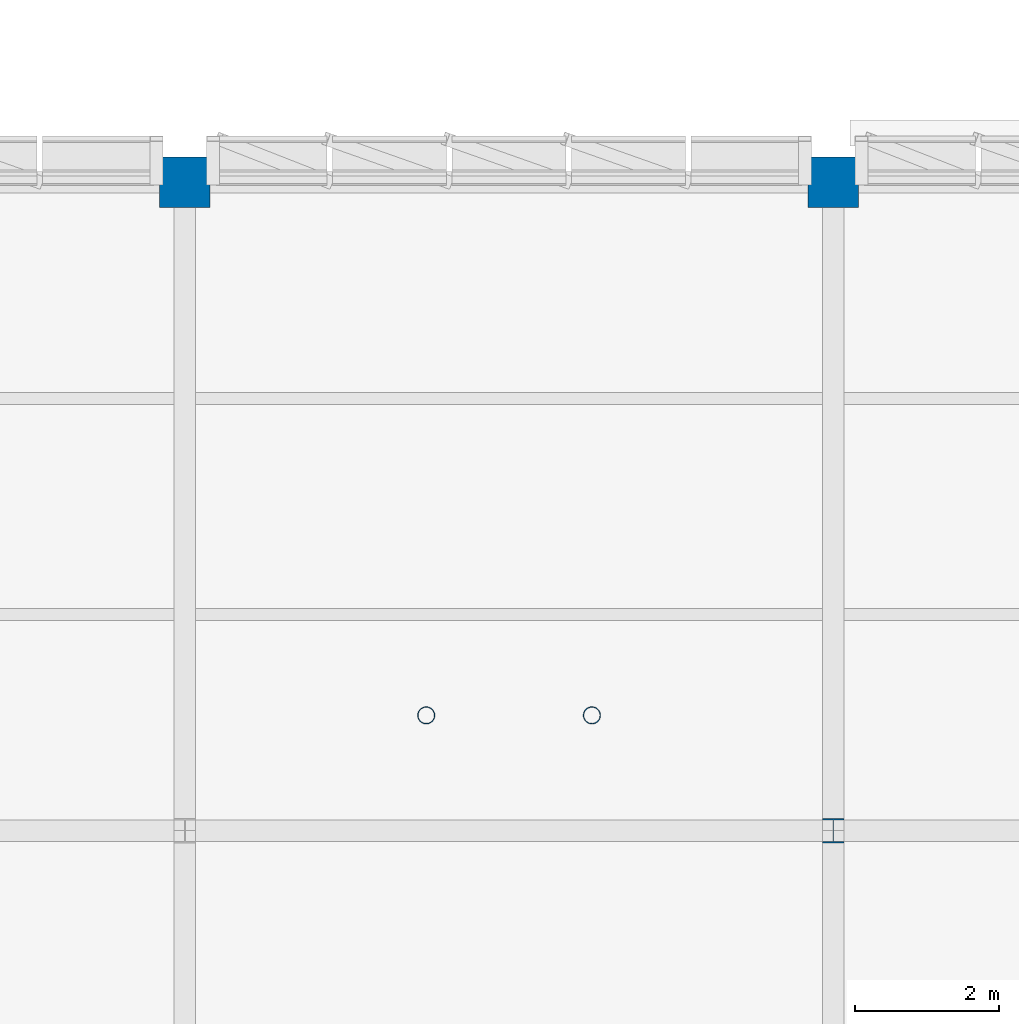
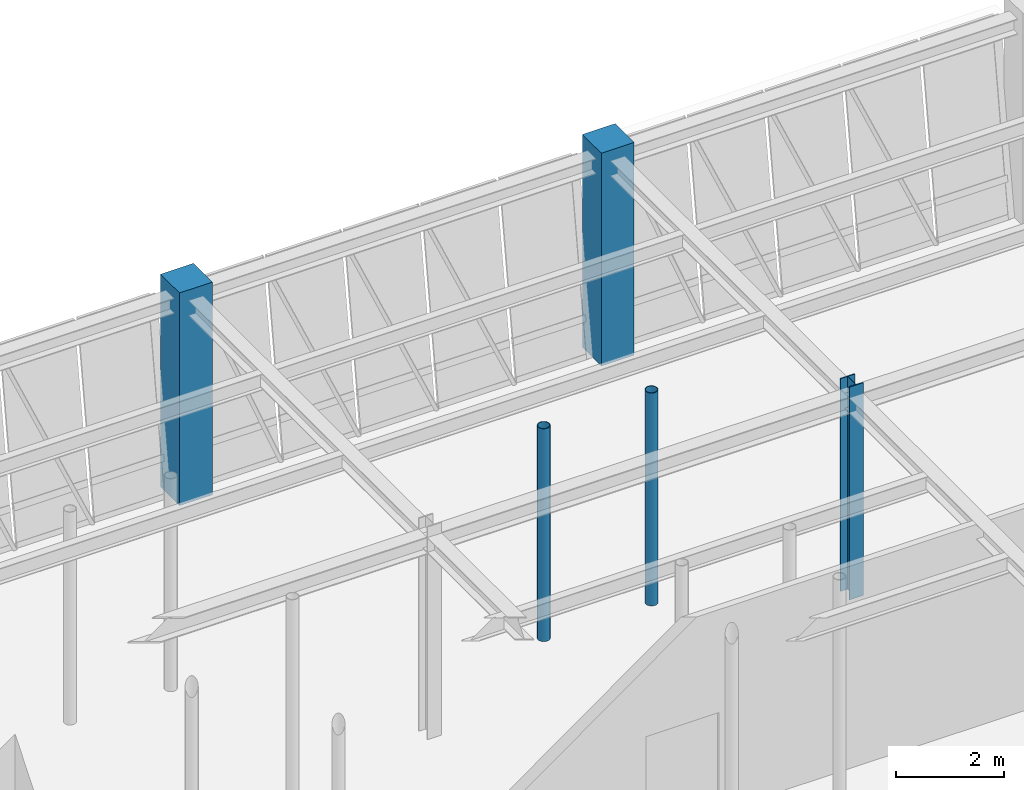
# One storey, part 10 of 92: 5 columns.
"""IFC4 building model written with IfcOpenShell, lengths in metres."""

import ifcopenshell
import ifcopenshell.guid

model = None  # the IFC model being written
_history = None  # IfcOwnerHistory: only IFC2X3 demands one
_inside = {}  # id of a spatial element -> (the spatial element, [elements in it])
_under = {}  # id of a project, library or spatial element -> (it, [spatial elements below it])
_declared = {}  # id of a project -> (the project, [libraries it declares])
_typed = {}  # id of a type object -> (the type object, [elements of that type])
_made_of = {}  # id of a material, layer set ... -> (it, [elements and type objects made of it])


def new_model(schema):
    """Start an empty IFC model of exactly this schema.

    Asked for "IFC4X3", IfcOpenShell would pick the latest addendum, in which some entities
    have other attributes; the version numbers below select the first issue.
    IFC2X3 requires an IfcOwnerHistory on every rooted entity: one is made here for all.
    """
    global model, _history
    if schema == "IFC4X3":
        model = ifcopenshell.file(schema_version=(4, 3, 0, 0))
    else:
        model = ifcopenshell.file(schema=schema)
    _inside.clear()
    _under.clear()
    _declared.clear()
    _typed.clear()
    _made_of.clear()
    _history = None
    if model.schema == "IFC2X3":
        org = make("IfcOrganization", Name="unknown")
        user = make(
            "IfcPersonAndOrganization",
            ThePerson=make("IfcPerson", FamilyName="unknown"),
            TheOrganization=org,
        )
        app = make(
            "IfcApplication",
            ApplicationDeveloper=org,
            Version="unknown",
            ApplicationFullName="unknown",
            ApplicationIdentifier="unknown",
        )
        _history = make(
            "IfcOwnerHistory",
            OwningUser=user,
            OwningApplication=app,
            ChangeAction="ADDED",
            CreationDate=0,
        )
    return model


def make(cls, **values):
    """One entity of the class cls with the attributes given. An attribute that is None is left unset."""
    return model.create_entity(
        cls, **{name: value for name, value in values.items() if value is not None}
    )


def rooted(cls, **values):
    """An entity with a GlobalId (a new one), such as an element, a storey or a relation."""
    return make(cls, GlobalId=ifcopenshell.guid.new(), OwnerHistory=_history, **values)


def si_unit(unit_type, name, prefix=None):
    """IfcSIUnit, for example si_unit("LENGTHUNIT", "METRE", prefix="MILLI")."""
    return make("IfcSIUnit", UnitType=unit_type, Prefix=prefix, Name=name)


def assignment(units):
    """IfcUnitAssignment: the units of a project."""
    return None if units is None else make("IfcUnitAssignment", Units=units)


def point(xyz):
    """IfcCartesianPoint."""
    return None if xyz is None else make("IfcCartesianPoint", Coordinates=xyz)


def direction(xyz):
    """IfcDirection."""
    return None if xyz is None else make("IfcDirection", DirectionRatios=xyz)


def frame(location, z_axis=None, x_axis=None):
    """IfcAxis2Placement3D, a coordinate frame: its origin and axes. An axis left out is left unset."""
    return make(
        "IfcAxis2Placement3D",
        Location=point(location),
        Axis=direction(z_axis),
        RefDirection=direction(x_axis),
    )


def frame_2d(location, x_axis=None):
    """IfcAxis2Placement2D, a coordinate frame in the plane: its origin and x axis."""
    return make(
        "IfcAxis2Placement2D", Location=point(location), RefDirection=direction(x_axis)
    )


def origin():
    """The frame at (0, 0, 0) with its axes left unset."""
    return frame((0.0, 0.0, 0.0))


def origin_2d():
    """The frame at (0, 0) in the plane with its x axis left unset."""
    return frame_2d((0.0, 0.0))


def place(relative_to, where):
    """IfcLocalPlacement: puts the frame where relative to a parent placement (None: the world)."""
    return make(
        "IfcLocalPlacement", PlacementRelTo=relative_to, RelativePlacement=where
    )


def context(
    kind, dimensions, precision=None, world=None, true_north=None, identifier=None
):
    """IfcGeometricRepresentationContext, for example the 3D "Model" context."""
    return make(
        "IfcGeometricRepresentationContext",
        ContextIdentifier=identifier,
        ContextType=kind,
        CoordinateSpaceDimension=dimensions,
        Precision=precision,
        WorldCoordinateSystem=world,
        TrueNorth=true_north,
    )


def subcontext(parent, identifier, kind, view, scale=None):
    """IfcGeometricRepresentationSubContext, for example "Body" below "Model"."""
    return make(
        "IfcGeometricRepresentationSubContext",
        ContextIdentifier=identifier,
        ContextType=kind,
        ParentContext=parent,
        TargetScale=scale,
        TargetView=view,
    )


def project(units=None, contexts=None):
    """IfcProject with its units and contexts."""
    return rooted(
        "IfcProject",
        Name="project",
        RepresentationContexts=contexts,
        UnitsInContext=assignment(units),
    )


def spatial(cls, under=None, at=None, **own):
    """A site, building, storey or space (cls), placed at a placement, below another one or the project."""
    s = rooted(cls, ObjectPlacement=at, **own)
    if under is not None:
        _under.setdefault(under.id(), (under, []))[1].append(s)
    return s


def profile(cls, at=None, kind="AREA", **sizes):
    """A parametric profile (cls). Its sizes go by their IFC names, for example OverallWidth=200.0."""
    return make(cls, ProfileType=kind, Position=at, **sizes)


def rectangle(**sizes):
    """IfcRectangleProfileDef."""
    return profile("IfcRectangleProfileDef", **sizes)


def hollow_circle(**sizes):
    """IfcCircleHollowProfileDef."""
    return profile("IfcCircleHollowProfileDef", **sizes)


def i_section(**sizes):
    """IfcIShapeProfileDef."""
    return profile("IfcIShapeProfileDef", **sizes)


def extrude(swept, where, along, depth):
    """IfcExtrudedAreaSolid: the profile swept, set in the frame where, extruded along a direction by depth."""
    return make(
        "IfcExtrudedAreaSolid",
        SweptArea=swept,
        Position=where,
        ExtrudedDirection=direction(along),
        Depth=depth,
    )


def shape(context_of_items, identifier, shape_type, items):
    """IfcShapeRepresentation: the items that make up one representation, for example the "Body"."""
    return make(
        "IfcShapeRepresentation",
        ContextOfItems=context_of_items,
        RepresentationIdentifier=identifier,
        RepresentationType=shape_type,
        Items=items,
    )


def material(Name=None, Category=None):
    """IfcMaterial."""
    return make("IfcMaterial", Name=Name, Category=Category)


def material_profile(
    of_material, cross_section, Name=None, Category=None, Priority=None
):
    """IfcMaterialProfile: a cross section and its material."""
    return make(
        "IfcMaterialProfile",
        Name=Name,
        Material=of_material,
        Profile=cross_section,
        Priority=Priority,
        Category=Category,
    )


def profile_set(profiles, Name=None, composite=None):
    """IfcMaterialProfileSet."""
    return make(
        "IfcMaterialProfileSet",
        Name=Name,
        MaterialProfiles=profiles,
        CompositeProfile=composite,
    )


def made_of(thing, what):
    """Note that an element or type object is made of a material, layer set ...; save() writes the relation."""
    if what is not None:
        _made_of.setdefault(what.id(), (what, []))[1].append(thing)
    return thing


def type_object(cls, material=None, **own):
    """A type object (cls), such as IfcWallType, which elements share."""
    return made_of(rooted(cls, **own), material)


def element(
    cls,
    number,
    at=None,
    inside=None,
    cuts=None,
    type_object=None,
    material=None,
    context=None,
    identifier="Body",
    shape_type=None,
    held_by="IfcProductDefinitionShape",
    body=None,
    shapes=None,
    **own,
):
    """One element of the class cls, such as IfcWall. Its Tag is "e" and its number.

    at: its placement. inside: the storey or other place that contains it. cuts: it is an
    opening in that element (IfcRelVoidsElement). A single representation is given by context,
    identifier, shape_type and body (its items); several are given by shapes. held_by: the class
    of the entity that holds the representations. save() writes the other relations.
    """
    e = rooted(cls, Tag="e%d" % number, ObjectPlacement=at, **own)
    if body is not None:
        shapes = [shape(context, identifier, shape_type, body)]
    if shapes is not None:
        e.Representation = make(held_by, Representations=shapes)
    if inside is not None:
        _inside.setdefault(inside.id(), (inside, []))[1].append(e)
    if cuts is not None:
        rooted(
            "IfcRelVoidsElement", RelatingBuildingElement=cuts, RelatedOpeningElement=e
        )
    if type_object is not None:
        _typed.setdefault(type_object.id(), (type_object, []))[1].append(e)
    return made_of(e, material)


def aggregate(whole, parts):
    """IfcRelAggregates: a whole, such as a stair, and the parts it consists of."""
    return rooted("IfcRelAggregates", RelatingObject=whole, RelatedObjects=parts)


def save(model, path):
    """Write the relations noted so far, then the file.

    IfcRelAggregates (storeys below a building ...), IfcRelContainedInSpatialStructure (elements
    in a storey), IfcRelDefinesByType, IfcRelAssociatesMaterial and IfcRelDeclares: one each for
    every whole, place, type object, material and project.
    """
    for whole, parts in _under.values():
        aggregate(whole, parts)
    for where, things in _inside.values():
        rooted(
            "IfcRelContainedInSpatialStructure",
            RelatedElements=things,
            RelatingStructure=where,
        )
    for kind, things in _typed.values():
        rooted("IfcRelDefinesByType", RelatedObjects=things, RelatingType=kind)
    for what, things in _made_of.values():
        rooted("IfcRelAssociatesMaterial", RelatedObjects=things, RelatingMaterial=what)
    for by, libraries in _declared.values():
        rooted("IfcRelDeclares", RelatingContext=by, RelatedDefinitions=libraries)
    model.write(path)


model = new_model("IFC4")

# Units and contexts
model_context = context("Model", 3, precision=1e-05, world=origin(), true_north=direction((0.0, 1.0)))
body_context = subcontext(model_context, "Body", "Model", "MODEL_VIEW")
ifc_project = project(units=[si_unit("LENGTHUNIT", "METRE"), si_unit("AREAUNIT", "SQUARE_METRE"), si_unit("VOLUMEUNIT", "CUBIC_METRE"), si_unit("PLANEANGLEUNIT", "RADIAN"), si_unit("MASSUNIT", "GRAM", prefix="KILO")], contexts=[model_context])

# Site, building, storey
site_placement = place(None, origin())
site = spatial("IfcSite", under=ifc_project, at=site_placement, CompositionType="ELEMENT")
building_placement = place(site_placement, origin())
building = spatial("IfcBuilding", under=site, at=building_placement, Name="Lykobir Media Centre", CompositionType="ELEMENT")
storey_placement = place(building_placement, frame((0.0, 0.0, 5.39990234375)))
storey = spatial("IfcBuildingStorey", under=building, at=storey_placement, Name="L01", CompositionType="ELEMENT", Elevation=5.39990234375)

# Columns
ifc_material_1 = material(Name="Concrete C40/50", Category="concrete")
ifc_material_profile_1 = material_profile(ifc_material_1, rectangle(XDim=0.699951171875, YDim=0.699951171875, at=origin_2d()), Name="RC 700x700")
ifc_profile_set_1 = profile_set([ifc_material_profile_1], Name="Concrete C40/50")
column_type_1 = type_object("IfcColumnType", Name="RC-C700-E", PredefinedType="COLUMN", material=ifc_profile_set_1)
for number, where, z_axis, x_axis, name in (
    (1, (54.0, 108.0, 0.0), (0.0, 0.0, 1.0), (1.0, 0.0, 0.0), "Column COL-L01-0540-1080"),
    (2, (63.0, 108.0, 0.0), (0.0, 0.0, 1.0), (1.0, 0.0, 0.0), "Column COL-L01-0630-1080"),
):
    element("IfcColumn", number, at=place(storey_placement, frame(where, z_axis=z_axis, x_axis=x_axis)), inside=storey, type_object=column_type_1, Name=name, PredefinedType="COLUMN", context=body_context, shape_type="SweptSolid", body=[
        extrude(rectangle(XDim=0.699951171875, YDim=0.699951171875, at=origin_2d()), origin(), (0.0, 0.0, 1.0), 4.800048828125),
    ])
ifc_material_2 = material(Name="Steel S355", Category="steel")
ifc_material_profile_2 = material_profile(ifc_material_2, hollow_circle(Radius=0.122314453125, WallThickness=0.012451171875, at=origin_2d()), Name="CHS 244.5x12.5")
ifc_profile_set_2 = profile_set([ifc_material_profile_2], Name="Steel S355")
column_type_2 = type_object("IfcColumnType", Name="SC-CHS244", PredefinedType="COLUMN", material=ifc_profile_set_2)
for number, where, z_axis, x_axis, name in (
    (3, (57.35009765625, 100.60009765625, 0.0), (0.0, 0.0, 1.0), (1.0, 0.0, 0.0), "Valley arrival column L01 A3-574"),
    (4, (59.64990234375, 100.60009765625, 0.0), (0.0, 0.0, 1.0), (1.0, 0.0, 0.0), "Valley arrival column L01 A3-596"),
):
    element("IfcColumn", number, at=place(storey_placement, frame(where, z_axis=z_axis, x_axis=x_axis)), inside=storey, type_object=column_type_2, Name=name, PredefinedType="COLUMN", context=body_context, shape_type="SweptSolid", body=[
        extrude(hollow_circle(Radius=0.122314453125, WallThickness=0.012451171875, at=origin_2d()), origin(), (0.0, 0.0, 1.0), 4.800048828125),
    ])
ifc_material_profile_3 = material_profile(ifc_material_2, i_section(OverallWidth=0.300048828125, OverallDepth=0.340087890625, WebThickness=0.011962890625, FlangeThickness=0.021484375, at=origin_2d()), Name="HEB 340")
ifc_profile_set_3 = profile_set([ifc_material_profile_3], Name="Steel S355")
column_type_3 = type_object("IfcColumnType", Name="SC-HEB340", PredefinedType="COLUMN", material=ifc_profile_set_3)
column_placement = place(storey_placement, frame((63.0, 99.0, 0.0), z_axis=(0.0, 0.0, 1.0), x_axis=(1.0, 0.0, 0.0)))
element("IfcColumn", 5, at=column_placement, inside=storey, type_object=column_type_3, Name="Column COL-L01-0630-0990", PredefinedType="COLUMN", context=body_context, shape_type="SweptSolid", body=[
    extrude(i_section(OverallWidth=0.300048828125, OverallDepth=0.340087890625, WebThickness=0.011962890625, FlangeThickness=0.021484375, at=origin_2d()), origin(), (0.0, 0.0, 1.0), 4.800048828125),
])

save(model, "model.ifc")
